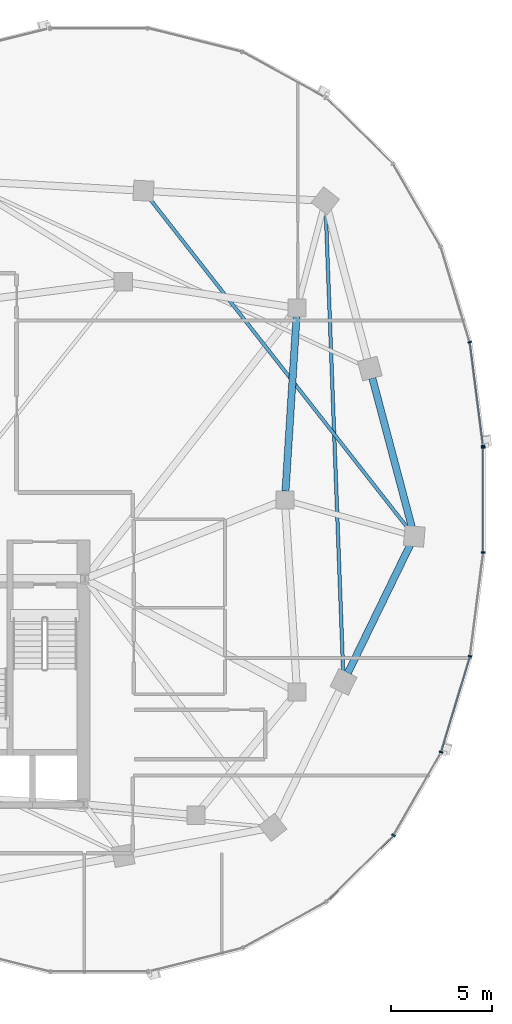
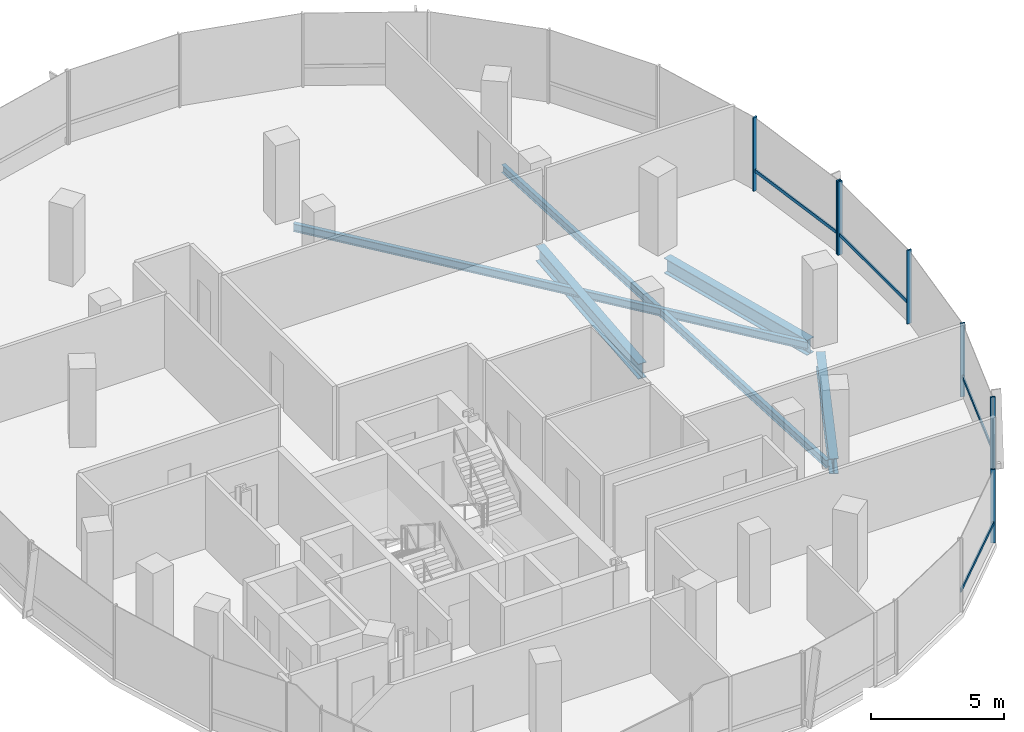
# One storey, part 8 of 22: 11 members, 5 beams, 2 elements without a shape of their own.
"""IFC4 building model written with IfcOpenShell, lengths in metres."""

from ifc_helpers import new_model, si_unit, direction, frame, origin, origin_2d, place, context, subcontext, project, spatial, rectangle, i_section, extrude, material, material_profile, profile_set, type_object, element, aggregate, save


model = new_model("IFC4")

# Units and contexts
model_context = context("Model", 3, precision=1e-05, world=origin(), true_north=direction((0.0, 1.0)))
body_context = subcontext(model_context, "Body", "Model", "MODEL_VIEW")
ifc_project = project(units=[si_unit("LENGTHUNIT", "METRE"), si_unit("AREAUNIT", "SQUARE_METRE"), si_unit("VOLUMEUNIT", "CUBIC_METRE"), si_unit("PLANEANGLEUNIT", "RADIAN"), si_unit("MASSUNIT", "GRAM", prefix="KILO"), si_unit("THERMODYNAMICTEMPERATUREUNIT", "KELVIN"), si_unit("POWERUNIT", "WATT")], contexts=[model_context])

# Site, building, storey
site_placement = place(None, origin())
site = spatial("IfcSite", under=ifc_project, at=site_placement, CompositionType="ELEMENT")
building_placement = place(site_placement, origin())
building = spatial("IfcBuilding", under=site, at=building_placement, Name="Cundina Bronze Exchange", CompositionType="ELEMENT")
storey_placement = place(building_placement, frame((0.0, 0.0, 165.60009765625)))
storey = spatial("IfcBuildingStorey", under=building, at=storey_placement, Name="L43", CompositionType="ELEMENT", Elevation=165.60009765625)

# Beams
ifc_material_1 = material(Name="Steel ASTM A992 Grade 50", Category="steel")
ifc_material_profile_1 = material_profile(ifc_material_1, i_section(OverallWidth=0.172119140625, OverallDepth=0.35791015625, WebThickness=0.0078125, FlangeThickness=0.01318359375, FilletRadius=0.010009765625, at=origin_2d()), Name="W14X38", Category="steel")
ifc_profile_set_1 = profile_set([ifc_material_profile_1], Name="Steel ASTM A992 Grade 50")
beam_type_1 = type_object("IfcBeamType", Name="BM-JST-W14", PredefinedType="JOIST", material=ifc_profile_set_1)
beam_1_placement = place(storey_placement, frame((44.08154296875, -8.51220703125, -0.419189453125), z_axis=(-0.037784933381, 0.999285894431, 0.0), x_axis=(-0.999285894431, -0.037784933381, 0.0)))
element("IfcBeam", 1, at=beam_1_placement, inside=storey, type_object=beam_type_1, Name="L43 Leg E Lobe Floor Joist 07-10", PredefinedType="JOIST", context=body_context, shape_type="SweptSolid", body=[
    extrude(i_section(OverallWidth=0.172119140625, OverallDepth=0.35791015625, WebThickness=0.0078125, FlangeThickness=0.01318359375, FilletRadius=0.010009765625, at=origin_2d()), origin(), (0.0, 0.0, 1.0), 22.8408203125),
])
beam_2_placement = place(storey_placement, frame((47.299072265625, -1.416015625, -0.419189453125), z_axis=(-0.616801484103, 0.787118751656, 0.0), x_axis=(-0.787118751656, -0.616801484103, 0.0)))
element("IfcBeam", 2, at=beam_2_placement, inside=storey, type_object=beam_type_1, Name="L43 Leg E Lobe Floor Joist 08-11", PredefinedType="JOIST", context=body_context, shape_type="SweptSolid", body=[
    extrude(i_section(OverallWidth=0.172119140625, OverallDepth=0.35791015625, WebThickness=0.0078125, FlangeThickness=0.01318359375, FilletRadius=0.010009765625, at=origin_2d()), origin(), (0.0, 0.0, 1.0), 20.7490234375),
])
ifc_material_profile_2 = material_profile(ifc_material_1, i_section(OverallWidth=0.35498046875, OverallDepth=0.695068359375, WebThickness=0.015380859375, FlangeThickness=0.02490234375, FilletRadius=0.01806640625, at=origin_2d()), Name="W27X146", Category="steel")
ifc_profile_set_2 = profile_set([ifc_material_profile_2], Name="Steel ASTM A992 Grade 50")
beam_type_2 = type_object("IfcBeamType", Name="BM-RING-W27", PredefinedType="USERDEFINED", material=ifc_profile_set_2)
beam_3_placement = place(storey_placement, frame((41.2275390625, 0.43701171875, -0.587646484375), z_axis=(0.063046519736, 0.998010589297, 0.0), x_axis=(-0.998010589297, 0.063046519736, 0.0)))
element("IfcBeam", 3, at=beam_3_placement, inside=storey, type_object=beam_type_2, Name="L43 E Inner Structural Ring Girder 04", ObjectType="GIRDER", PredefinedType="USERDEFINED", context=body_context, shape_type="SweptSolid", body=[
    extrude(i_section(OverallWidth=0.35498046875, OverallDepth=0.695068359375, WebThickness=0.015380859375, FlangeThickness=0.02490234375, FilletRadius=0.01806640625, at=origin_2d()), origin(), (0.0, 0.0, 1.0), 8.64306640625),
])
beam_4_placement = place(storey_placement, frame((44.3134765625, -8.56103515625, -0.587646484375), z_axis=(0.437196998825, 0.89936576776, 0.0), x_axis=(-0.89936576776, 0.437196998825, 0.0)))
element("IfcBeam", 4, at=beam_4_placement, inside=storey, type_object=beam_type_2, Name="L43 E Perimeter Ring Girder 07", ObjectType="GIRDER", PredefinedType="USERDEFINED", context=body_context, shape_type="SweptSolid", body=[
    extrude(i_section(OverallWidth=0.35498046875, OverallDepth=0.695068359375, WebThickness=0.015380859375, FlangeThickness=0.02490234375, FilletRadius=0.01806640625, at=origin_2d()), origin(), (0.0, 0.0, 1.0), 7.029541015625),
])
beam_5_placement = place(storey_placement, frame((47.47509765625, -1.328369140625, -0.587646484375), z_axis=(-0.256240814108, 0.966612975904, 0.0), x_axis=(-0.966612975904, -0.256240814108, 0.0)))
element("IfcBeam", 5, at=beam_5_placement, inside=storey, type_object=beam_type_2, Name="L43 E Perimeter Ring Girder 08", ObjectType="GIRDER", PredefinedType="USERDEFINED", context=body_context, shape_type="SweptSolid", body=[
    extrude(i_section(OverallWidth=0.35498046875, OverallDepth=0.695068359375, WebThickness=0.015380859375, FlangeThickness=0.02490234375, FilletRadius=0.01806640625, at=origin_2d()), origin(), (0.0, 0.0, 1.0), 7.61083984375),
])

# Curtain wall, members
ifc_material_2 = material(Name="Anodised Bronze Aluminium 6063-T6", Category="aluminium")
curtain_wall_type = type_object("IfcCurtainWallType", Name="CWS-WST-PIN", PredefinedType="NOTDEFINED", material=ifc_material_2)
curtain_wall_1_placement = place(storey_placement, origin())
curtain_wall_1 = element("IfcCurtainWall", 6, at=curtain_wall_1_placement, inside=storey, type_object=curtain_wall_type, Name="L43 CW-04 Curtain Wall Run CWR-L43-E1", PredefinedType="NOTDEFINED")
ifc_material_profile_3 = material_profile(ifc_material_2, rectangle(XDim=0.070068359375, YDim=0.18994140625, at=origin_2d()), Name="AL70X190", Category="aluminium")
ifc_profile_set_3 = profile_set([ifc_material_profile_3], Name="Anodised Bronze Aluminium 6063-T6")
member_type_1 = type_object("IfcMemberType", Name="CWM-MUL-190", PredefinedType="MULLION", material=ifc_profile_set_3)
member_1_placement = place(storey_placement, frame((51.001708984375, 2.676025390625, 0.0), z_axis=(0.0, 0.0, 1.0), x_axis=(-0.126545236492, 0.991960837494, 0.0)))
member_1 = element("IfcMember", 7, at=member_1_placement, type_object=member_type_1, Name="CW-04 Mullion 1", PredefinedType="MULLION", context=body_context, shape_type="SweptSolid", body=[
    extrude(rectangle(XDim=0.070068359375, YDim=0.18994140625, at=origin_2d()), origin(), (0.0, 0.0, 1.0), 3.35986328125),
])
member_2_placement = place(storey_placement, frame((50.3408203125, 7.80859375, 0.0), z_axis=(0.0, 0.0, 1.0), x_axis=(-0.290034140915, 0.957016299288, 0.0)))
member_2 = element("IfcMember", 8, at=member_2_placement, type_object=member_type_1, Name="CW-04 Mullion 2", PredefinedType="MULLION", context=body_context, shape_type="SweptSolid", body=[
    extrude(rectangle(XDim=0.070068359375, YDim=0.18994140625, at=origin_2d()), origin(), (0.0, 0.0, 1.0), 3.35986328125),
])

curtain_wall_2_placement = place(storey_placement, origin())
curtain_wall_2 = element("IfcCurtainWall", 9, at=curtain_wall_2_placement, inside=storey, type_object=curtain_wall_type, Name="L43 CW-04 Curtain Wall Run CWR-L43-E4", PredefinedType="NOTDEFINED")
member_3_placement = place(storey_placement, frame((46.57080078125, -16.588134765625, 0.0), z_axis=(0.0, 0.0, 1.0), x_axis=(0.498487739754, 0.866896748936, 0.0)))
member_3 = element("IfcMember", 10, at=member_3_placement, type_object=member_type_1, Name="CW-04 Mullion 4", PredefinedType="MULLION", context=body_context, shape_type="SweptSolid", body=[
    extrude(rectangle(XDim=0.070068359375, YDim=0.18994140625, at=origin_2d()), origin(), (0.0, 0.0, 1.0), 3.35986328125),
])
member_4_placement = place(storey_placement, frame((48.92626953125, -12.4755859375, 0.0), z_axis=(0.0, 0.0, 1.0), x_axis=(0.290034140915, 0.957016299288, 0.0)))
member_4 = element("IfcMember", 11, at=member_4_placement, type_object=member_type_1, Name="CW-04 Mullion 5", PredefinedType="MULLION", context=body_context, shape_type="SweptSolid", body=[
    extrude(rectangle(XDim=0.070068359375, YDim=0.18994140625, at=origin_2d()), origin(), (0.0, 0.0, 1.0), 3.35986328125),
])
member_5_placement = place(storey_placement, frame((50.357177734375, -7.731689453125, 0.0), z_axis=(0.0, 0.0, 1.0), x_axis=(0.126545236492, 0.991960837494, 0.0)))
member_5 = element("IfcMember", 12, at=member_5_placement, type_object=member_type_1, Name="CW-04 Mullion 6", PredefinedType="MULLION", context=body_context, shape_type="SweptSolid", body=[
    extrude(rectangle(XDim=0.070068359375, YDim=0.18994140625, at=origin_2d()), origin(), (0.0, 0.0, 1.0), 3.35986328125),
])
member_6_placement = place(storey_placement, frame((51.007080078125, -2.593017578125, 0.0), z_axis=(0.0, 0.0, 1.0), x_axis=(0.0, 1.0, 0.0)))
member_6 = element("IfcMember", 13, at=member_6_placement, type_object=member_type_1, Name="CW-04 Mullion 7", PredefinedType="MULLION", context=body_context, shape_type="SweptSolid", body=[
    extrude(rectangle(XDim=0.070068359375, YDim=0.18994140625, at=origin_2d()), origin(), (0.0, 0.0, 1.0), 3.35986328125),
])
member_7_placement = place(storey_placement, frame((51.007080078125, 2.593017578125, 0.0), z_axis=(0.0, 0.0, 1.0), x_axis=(0.0, 1.0, 0.0)))
member_7 = element("IfcMember", 14, at=member_7_placement, type_object=member_type_1, Name="CW-04 End Mullion", PredefinedType="MULLION", context=body_context, shape_type="SweptSolid", body=[
    extrude(rectangle(XDim=0.070068359375, YDim=0.18994140625, at=origin_2d()), origin(), (0.0, 0.0, 1.0), 3.35986328125),
])

# Member
ifc_material_profile_4 = material_profile(ifc_material_2, rectangle(XDim=0.06494140625, YDim=0.14990234375, at=origin_2d()), Name="AL65X150", Category="aluminium")
ifc_profile_set_4 = profile_set([ifc_material_profile_4], Name="Anodised Bronze Aluminium 6063-T6")
member_type_2 = type_object("IfcMemberType", Name="CWM-TRN-150", PredefinedType="USERDEFINED", material=ifc_profile_set_4)
member_8_placement = place(storey_placement, frame((50.996826171875, 2.71435546875, 0.919921875), z_axis=(-0.12646340362, 0.991971273548, 0.0), x_axis=(-0.991971273548, -0.12646340362, 0.0)))
member_8 = element("IfcMember", 15, at=member_8_placement, type_object=member_type_2, Name="CW-04 Spandrel Transom 1", ObjectType="TRANSOM", PredefinedType="USERDEFINED", context=body_context, shape_type="SweptSolid", body=[
    extrude(rectangle(XDim=0.06494140625, YDim=0.14990234375, at=origin_2d()), origin(), (0.0, 0.0, 1.0), 5.0966796875),
])

aggregate(curtain_wall_1, [member_1, member_8, member_2])

member_9_placement = place(storey_placement, frame((43.28662109375, -19.839599609375, 0.919921875), z_axis=(0.712005023839, 0.702174370102, 0.0), x_axis=(-0.702174370102, 0.712005023839, 0.0)))
member_9 = element("IfcMember", 16, at=member_9_placement, type_object=member_type_2, Name="CW-04 Spandrel Transom 3", ObjectType="TRANSOM", PredefinedType="USERDEFINED", context=body_context, shape_type="SweptSolid", body=[
    extrude(rectangle(XDim=0.06494140625, YDim=0.14990234375, at=origin_2d()), origin(), (0.0, 0.0, 1.0), 4.594482421875),
])

member_10_placement = place(storey_placement, frame((48.937255859375, -12.43896484375, 0.919921875), z_axis=(0.290051855969, 0.957010930371, 0.0), x_axis=(-0.957010930371, 0.290051855969, 0.0)))
member_10 = element("IfcMember", 17, at=member_10_placement, type_object=member_type_2, Name="CW-04 Spandrel Transom 5", ObjectType="TRANSOM", PredefinedType="USERDEFINED", context=body_context, shape_type="SweptSolid", body=[
    extrude(rectangle(XDim=0.06494140625, YDim=0.14990234375, at=origin_2d()), origin(), (0.0, 0.0, 1.0), 4.876953125),
])

member_11_placement = place(storey_placement, frame((51.007080078125, -2.554443359375, 0.919921875), z_axis=(0.0, 1.0, 0.0), x_axis=(-1.0, 0.0, 0.0)))
member_11 = element("IfcMember", 18, at=member_11_placement, type_object=member_type_2, Name="CW-04 Spandrel Transom 7", ObjectType="TRANSOM", PredefinedType="USERDEFINED", context=body_context, shape_type="SweptSolid", body=[
    extrude(rectangle(XDim=0.06494140625, YDim=0.14990234375, at=origin_2d()), origin(), (0.0, 0.0, 1.0), 5.10888671875),
])

aggregate(curtain_wall_2, [member_9, member_3, member_4, member_10, member_5, member_6, member_7, member_11])

save(model, "model.ifc")
